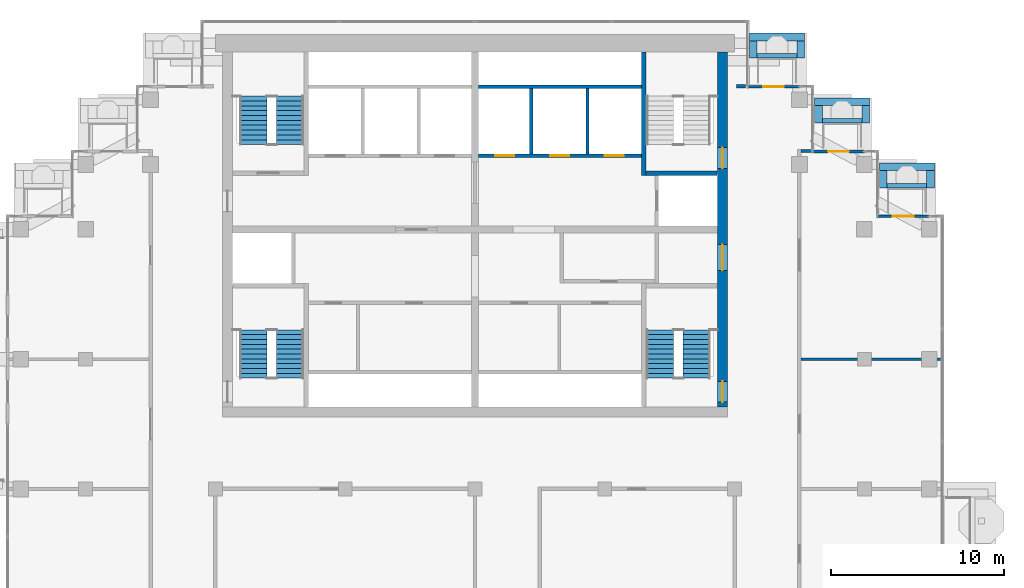
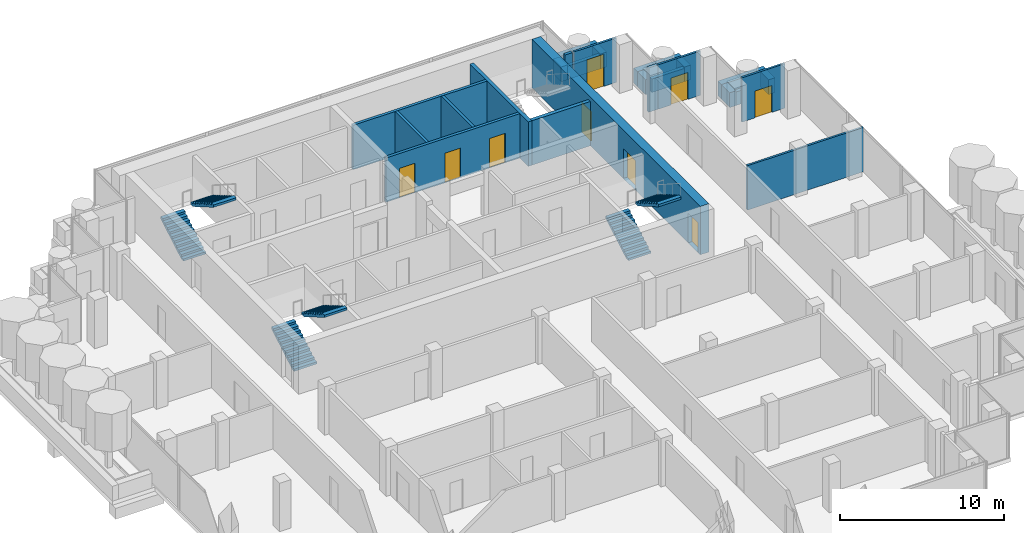
# One storey, part 14 of 18: 25 walls, 9 doors, 6 stair flights, 9 openings, 3 elements without a shape of their own.
"""IFC4 building model written with IfcOpenShell, lengths in metres."""

from ifc_helpers import new_model, si_unit, direction, frame, frame_2d, origin, place, context, subcontext, project, spatial, polyline, rectangle, outline, extrude, material, layer, layer_set, type_object, element, fill, aggregate, save


model = new_model("IFC4")

# Units and contexts
model_context = context("Model", 3, precision=1e-05, world=origin(), true_north=direction((0.0, 1.0)))
body_context = subcontext(model_context, "Body", "Model", "MODEL_VIEW")
ifc_project = project(units=[si_unit("LENGTHUNIT", "METRE"), si_unit("AREAUNIT", "SQUARE_METRE"), si_unit("VOLUMEUNIT", "CUBIC_METRE"), si_unit("PLANEANGLEUNIT", "RADIAN"), si_unit("MASSUNIT", "GRAM", prefix="KILO")], contexts=[model_context])

# Site, building, storey
site_placement = place(None, origin())
site = spatial("IfcSite", under=ifc_project, at=site_placement, CompositionType="ELEMENT")
building_placement = place(site_placement, origin())
building = spatial("IfcBuilding", under=site, at=building_placement, Name="Pilkhan Gate Tower", CompositionType="ELEMENT")
storey_placement = place(building_placement, frame((0.0, 0.0, 242.699951171875)))
storey = spatial("IfcBuildingStorey", under=building, at=storey_placement, Name="L63", CompositionType="ELEMENT", Elevation=242.699951171875)

# Walls
ifc_material_1 = material(Name="Concrete C40/50", Category="concrete")
ifc_layer_1 = layer(ifc_material_1, 0.25)
ifc_layer_set_1 = layer_set([ifc_layer_1], Name="Balcony planter BP250")
wall_type_1 = type_object("IfcWallType", Name="Balcony planter BP250", PredefinedType="USERDEFINED", material=ifc_layer_set_1)
wall_1_placement = place(storey_placement, frame((91.300048828125, 92.52490234375, 0.0), z_axis=(0.0, 0.0, 1.0), x_axis=(1.0, 0.0, 0.0)))
element("IfcWall", 1, at=wall_1_placement, inside=storey, type_object=wall_type_1, Name="Balcony planter L63 N", ObjectType="BALCONY PLANTER", PredefinedType="USERDEFINED", context=body_context, shape_type="SweptSolid", body=[
    extrude(rectangle(XDim=2.300048828125, YDim=0.25, at=frame_2d((1.14990234375, 0.0))), origin(), (0.0, 0.0, 1.0), 1.0),
])
for number, where, z_axis, x_axis, name in (
    (2, (95.070068359375, 88.77490234375, 0.0), (0.0, 0.0, 1.0), (1.0, 0.0, 0.0), "Balcony planter L63 N"),
    (3, (98.820068359375, 85.02490234375, 0.0), (0.0, 0.0, 1.0), (1.0, 0.0, 0.0), "Balcony planter L63 N"),
):
    element("IfcWall", number, at=place(storey_placement, frame(where, z_axis=z_axis, x_axis=x_axis)), inside=storey, type_object=wall_type_1, Name=name, ObjectType="BALCONY PLANTER", PredefinedType="USERDEFINED", context=body_context, shape_type="SweptSolid", body=[
        extrude(rectangle(XDim=2.280029296875, YDim=0.25, at=frame_2d((1.14013671875, 0.0))), origin(), (0.0, 0.0, 1.0), 1.0),
    ])
ifc_material_2 = material(Name="Board-marked Concrete C40/50", Category="concrete")
ifc_layer_2 = layer(ifc_material_2, 0.449951171875)
ifc_layer_set_2 = layer_set([ifc_layer_2], Name="Balcony planter lip BL450")
wall_type_2 = type_object("IfcWallType", Name="Balcony planter lip BL450", PredefinedType="USERDEFINED", material=ifc_layer_set_2)
wall_2_placement = place(storey_placement, frame((90.85009765625, 93.625, 0.0), z_axis=(0.0, 0.0, 1.0), x_axis=(1.0, 0.0, 0.0)))
element("IfcWall", 4, at=wall_2_placement, inside=storey, type_object=wall_type_2, Name="Balcony planter L63 N", ObjectType="BALCONY PLANTER", PredefinedType="USERDEFINED", context=body_context, shape_type="SweptSolid", body=[
    extrude(rectangle(XDim=3.199951171875, YDim=0.449951171875, at=frame_2d((1.60009765625, 0.0))), origin(), (0.0, 0.0, 1.0), 1.10009765625),
])
for number, where, z_axis, x_axis, name in (
    (5, (91.074951171875, 92.39990234375, 0.0), (0.0, 0.0, 1.0), (0.0, 1.0, 0.0), "Balcony planter L63 N"),
    (6, (93.824951171875, 92.39990234375, 0.0), (0.0, 0.0, 1.0), (0.0, 1.0, 0.0), "Balcony planter L63 N"),
):
    element("IfcWall", number, at=place(storey_placement, frame(where, z_axis=z_axis, x_axis=x_axis)), inside=storey, type_object=wall_type_2, Name=name, ObjectType="BALCONY PLANTER", PredefinedType="USERDEFINED", context=body_context, shape_type="SweptSolid", body=[
        extrude(rectangle(XDim=1.0, YDim=0.449951171875, at=frame_2d((0.5, 0.0))), origin(), (0.0, 0.0, 1.0), 1.10009765625),
    ])
wall_3_placement = place(storey_placement, frame((94.6201171875, 89.875, 0.0), z_axis=(0.0, 0.0, 1.0), x_axis=(1.0, 0.0, 0.0)))
element("IfcWall", 7, at=wall_3_placement, inside=storey, type_object=wall_type_2, Name="Balcony planter L63 N", ObjectType="BALCONY PLANTER", PredefinedType="USERDEFINED", context=body_context, shape_type="SweptSolid", body=[
    extrude(rectangle(XDim=3.179931640625, YDim=0.449951171875, at=frame_2d((1.58984375, 0.0))), origin(), (0.0, 0.0, 1.0), 1.10009765625),
])
for number, where, z_axis, x_axis, name in (
    (8, (94.844970703125, 88.64990234375, 0.0), (0.0, 0.0, 1.0), (0.0, 1.0, 0.0), "Balcony planter L63 N"),
    (9, (97.574951171875, 88.64990234375, 0.0), (0.0, 0.0, 1.0), (0.0, 1.0, 0.0), "Balcony planter L63 N"),
):
    element("IfcWall", number, at=place(storey_placement, frame(where, z_axis=z_axis, x_axis=x_axis)), inside=storey, type_object=wall_type_2, Name=name, ObjectType="BALCONY PLANTER", PredefinedType="USERDEFINED", context=body_context, shape_type="SweptSolid", body=[
        extrude(rectangle(XDim=1.0, YDim=0.449951171875, at=frame_2d((0.5, 0.0))), origin(), (0.0, 0.0, 1.0), 1.10009765625),
    ])
wall_4_placement = place(storey_placement, frame((98.3701171875, 86.125, 0.0), z_axis=(0.0, 0.0, 1.0), x_axis=(1.0, 0.0, 0.0)))
element("IfcWall", 10, at=wall_4_placement, inside=storey, type_object=wall_type_2, Name="Balcony planter L63 N", ObjectType="BALCONY PLANTER", PredefinedType="USERDEFINED", context=body_context, shape_type="SweptSolid", body=[
    extrude(rectangle(XDim=3.179931640625, YDim=0.449951171875, at=frame_2d((1.58984375, 0.0))), origin(), (0.0, 0.0, 1.0), 1.10009765625),
])
for number, where, z_axis, x_axis, name in (
    (11, (98.594970703125, 84.89990234375, 0.0), (0.0, 0.0, 1.0), (0.0, 1.0, 0.0), "Balcony planter L63 N"),
    (12, (101.324951171875, 84.89990234375, 0.0), (0.0, 0.0, 1.0), (0.0, 1.0, 0.0), "Balcony planter L63 N"),
):
    element("IfcWall", number, at=place(storey_placement, frame(where, z_axis=z_axis, x_axis=x_axis)), inside=storey, type_object=wall_type_2, Name=name, ObjectType="BALCONY PLANTER", PredefinedType="USERDEFINED", context=body_context, shape_type="SweptSolid", body=[
        extrude(rectangle(XDim=1.0, YDim=0.449951171875, at=frame_2d((0.5, 0.0))), origin(), (0.0, 0.0, 1.0), 1.10009765625),
    ])

# Wall, openings, doors
ifc_material_3 = material(Name="Concrete C50/60", Category="concrete")
ifc_layer_3 = layer(ifc_material_3, 0.60009765625)
ifc_layer_set_3 = layer_set([ifc_layer_3], Name="Core wall CW600 C50/60")
wall_type_3 = type_object("IfcWallType", Name="Core wall CW600 C50/60", PredefinedType="SHEAR", material=ifc_layer_set_3)
wall_5_placement = place(storey_placement, frame((89.300048828125, 72.25, 0.0), z_axis=(0.0, 0.0, 1.0), x_axis=(0.0, 1.0, 0.0)))
wall_5 = element("IfcWall", 13, at=wall_5_placement, inside=storey, type_object=wall_type_3, Name="Core wall E L63", PredefinedType="SHEAR", context=body_context, shape_type="SweptSolid", body=[
    extrude(rectangle(XDim=20.5, YDim=0.60009765625, at=frame_2d((10.25, 0.0))), origin(), (0.0, 0.0, 1.0), 3.60009765625),
])
opening_1_placement = place(wall_5_placement, frame((0.27490234375, 0.0, 0.0)))
opening_1 = element("IfcOpeningElement", 14, at=opening_1_placement, cuts=wall_5, Name="Opening L63-03", PredefinedType="OPENING", context=body_context, shape_type="SweptSolid", body=[
    extrude(rectangle(XDim=1.199951171875, YDim=2.199951171875, at=frame_2d((0.60009765625, 1.10009765625))), frame((0.0, 0.31005859375, 0.0), z_axis=(0.0, -1.0, 0.0), x_axis=(1.0, 0.0, 0.0)), (0.0, 0.0, 1.0), 0.6201171875),
])
opening_2_placement = place(wall_5_placement, frame((13.77490234375, 0.0, 0.0)))
opening_2 = element("IfcOpeningElement", 15, at=opening_2_placement, cuts=wall_5, Name="Opening L63-05", PredefinedType="OPENING", context=body_context, shape_type="SweptSolid", body=[
    extrude(rectangle(XDim=1.199951171875, YDim=2.199951171875, at=frame_2d((0.60009765625, 1.10009765625))), frame((0.0, 0.31005859375, 0.0), z_axis=(0.0, -1.0, 0.0), x_axis=(1.0, 0.0, 0.0)), (0.0, 0.0, 1.0), 0.6201171875),
])
opening_3_placement = place(wall_5_placement, frame((7.875, 0.0, 0.0)))
opening_3 = element("IfcOpeningElement", 16, at=opening_3_placement, cuts=wall_5, Name="Opening L63-06", PredefinedType="OPENING", context=body_context, shape_type="SweptSolid", body=[
    extrude(rectangle(XDim=1.5, YDim=2.199951171875, at=frame_2d((0.75, 1.10009765625))), frame((0.0, 0.31005859375, 0.0), z_axis=(0.0, -1.0, 0.0), x_axis=(1.0, 0.0, 0.0)), (0.0, 0.0, 1.0), 0.6201171875),
])
ifc_material_4 = material(Name="Steel framed glazed door, 60 minute fire resisting", Category="steel")
door_type_1 = type_object("IfcDoorType", Name="Lobby door D09 1500x2200", OperationType="DOUBLE_DOOR_SINGLE_SWING", PredefinedType="DOOR", material=ifc_material_4)
door_1_placement = place(opening_3_placement, origin())
door_1 = element("IfcDoor", 17, at=door_1_placement, inside=storey, type_object=door_type_1, Name="Core door", OperationType="DOUBLE_DOOR_SINGLE_SWING", OverallHeight=2.199951171875, OverallWidth=1.5, PredefinedType="DOOR", context=body_context, shape_type="SweptSolid", body=[
    extrude(rectangle(XDim=1.5, YDim=2.199951171875, at=frame_2d((0.75, 1.10009765625))), frame((0.0, 0.02490234375, 0.0), z_axis=(0.0, -1.0, 0.0), x_axis=(1.0, 0.0, 0.0)), (0.0, 0.0, 1.0), 0.050048828125),
])
fill(opening_3, door_1)
ifc_material_5 = material(Name="Steel door, 120 minute fire resisting, panic bar", Category="steel")
door_type_2 = type_object("IfcDoorType", Name="Stair door D11 1200x2200", OperationType="SINGLE_SWING_LEFT", PredefinedType="DOOR", material=ifc_material_5)
door_2_placement = place(opening_1_placement, origin())
door_2 = element("IfcDoor", 18, at=door_2_placement, inside=storey, type_object=door_type_2, Name="Stair ST1 door", OperationType="SINGLE_SWING_LEFT", OverallHeight=2.199951171875, OverallWidth=1.199951171875, PredefinedType="DOOR", context=body_context, shape_type="SweptSolid", body=[
    extrude(rectangle(XDim=1.199951171875, YDim=2.199951171875, at=frame_2d((0.60009765625, 1.10009765625))), frame((0.0, 0.02490234375, 0.0), z_axis=(0.0, -1.0, 0.0), x_axis=(1.0, 0.0, 0.0)), (0.0, 0.0, 1.0), 0.050048828125),
])
fill(opening_1, door_2)
door_3_placement = place(opening_2_placement, origin())
door_3 = element("IfcDoor", 19, at=door_3_placement, inside=storey, type_object=door_type_2, Name="Stair ST4 door", OperationType="SINGLE_SWING_LEFT", OverallHeight=2.199951171875, OverallWidth=1.199951171875, PredefinedType="DOOR", context=body_context, shape_type="SweptSolid", body=[
    extrude(rectangle(XDim=1.199951171875, YDim=2.199951171875, at=frame_2d((0.60009765625, 1.10009765625))), frame((0.0, 0.02490234375, 0.0), z_axis=(0.0, -1.0, 0.0), x_axis=(1.0, 0.0, 0.0)), (0.0, 0.0, 1.0), 0.050048828125),
])
fill(opening_2, door_3)

# Walls
ifc_material_6 = material(Name="Dense blockwork", Category="masonry")
ifc_layer_4 = layer(ifc_material_6, 0.199951171875)
ifc_layer_set_4 = layer_set([ifc_layer_4], Name="Corridor wall FW200")
wall_type_4 = type_object("IfcWallType", Name="Corridor wall FW200", PredefinedType="PARTITIONING", material=ifc_layer_set_4)
wall_6_placement = place(storey_placement, frame((93.85009765625, 87.030029296875, 0.0), z_axis=(0.0, 0.0, 1.0), x_axis=(1.0, 0.0, 0.0)))
element("IfcWall", 20, at=wall_6_placement, inside=storey, type_object=wall_type_4, Name="Partition L63", PredefinedType="PARTITIONING", context=body_context, shape_type="SweptSolid", body=[
    extrude(rectangle(XDim=0.639892578125, YDim=0.199951171875, at=frame_2d((0.31982421875, 0.0))), origin(), (0.0, 0.0, 1.0), 3.300048828125),
])
wall_7_placement = place(storey_placement, frame((90.1201171875, 90.764892578125, 0.0), z_axis=(0.0, 0.0, 1.0), x_axis=(1.0, 0.0, 0.0)))
element("IfcWall", 21, at=wall_7_placement, inside=storey, type_object=wall_type_4, Name="Partition L63", PredefinedType="PARTITIONING", context=body_context, shape_type="SweptSolid", body=[
    extrude(rectangle(XDim=0.52490234375, YDim=0.199951171875, at=frame_2d((0.262451171875, 0.0))), origin(), (0.0, 0.0, 1.0), 3.300048828125),
])

# Wall, opening, door
ifc_material_7 = material(Name="Pale anodised aluminium, clear laminated glazing", Category="aluminium")
ifc_layer_5 = layer(ifc_material_7, 0.14990234375)
ifc_layer_set_5 = layer_set([ifc_layer_5], Name="Facade infill wall IW150")
wall_type_5 = type_object("IfcWallType", Name="Facade infill wall IW150", PredefinedType="SOLIDWALL", material=ifc_layer_set_5)
wall_8_placement = place(storey_placement, frame((98.25, 83.25, 0.0), z_axis=(0.0, 0.0, 1.0), x_axis=(1.0, 0.0, 0.0)))
wall_8 = element("IfcWall", 22, at=wall_8_placement, inside=storey, type_object=wall_type_5, Name="Infill wall L63 N", PredefinedType="SOLIDWALL", context=body_context, shape_type="SweptSolid", body=[
    extrude(rectangle(XDim=3.0, YDim=0.14990234375, at=frame_2d((1.5, 0.0))), origin(), (0.0, 0.0, 1.0), 3.300048828125),
])
opening_4_placement = place(wall_8_placement, frame((0.89990234375, 0.0, 0.0)))
opening_4 = element("IfcOpeningElement", 23, at=opening_4_placement, cuts=wall_8, Name="Opening D1L", PredefinedType="OPENING", context=body_context, shape_type="SweptSolid", body=[
    extrude(rectangle(XDim=1.199951171875, YDim=2.0, at=frame_2d((0.60009765625, 1.0))), frame((0.0, 0.0849609375, 0.0), z_axis=(0.0, -1.0, 0.0), x_axis=(1.0, 0.0, 0.0)), (0.0, 0.0, 1.0), 0.169921875),
])
ifc_material_8 = material(Name="Pale anodised aluminium, clear glazing", Category="aluminium")
door_type_3 = type_object("IfcDoorType", Name="Balcony door D1L 1200x2000", OperationType="SINGLE_SWING_LEFT", PredefinedType="DOOR", material=ifc_material_8)
door_4_placement = place(opening_4_placement, origin())
door_4 = element("IfcDoor", 24, at=door_4_placement, inside=storey, type_object=door_type_3, Name="Balcony door L63", OperationType="SINGLE_SWING_LEFT", OverallHeight=2.0, OverallWidth=1.199951171875, PredefinedType="DOOR", context=body_context, shape_type="SweptSolid", body=[
    extrude(rectangle(XDim=1.199951171875, YDim=2.0, at=frame_2d((0.60009765625, 1.0))), frame((0.0, 0.02490234375, 0.0), z_axis=(0.0, -1.0, 0.0), x_axis=(1.0, 0.0, 0.0)), (0.0, 0.0, 1.0), 0.050048828125),
])
fill(opening_4, door_4)

wall_9_placement = place(storey_placement, frame((94.5, 87.0, 0.0), z_axis=(0.0, 0.0, 1.0), x_axis=(1.0, 0.0, 0.0)))
wall_9 = element("IfcWall", 25, at=wall_9_placement, inside=storey, type_object=wall_type_5, Name="Infill wall L63 N", PredefinedType="SOLIDWALL", context=body_context, shape_type="SweptSolid", body=[
    extrude(rectangle(XDim=3.0, YDim=0.14990234375, at=frame_2d((1.5, 0.0))), origin(), (0.0, 0.0, 1.0), 3.300048828125),
])
opening_5_placement = place(wall_9_placement, frame((0.89990234375, 0.0, 0.0)))
opening_5 = element("IfcOpeningElement", 26, at=opening_5_placement, cuts=wall_9, Name="Opening D1L", PredefinedType="OPENING", context=body_context, shape_type="SweptSolid", body=[
    extrude(rectangle(XDim=1.199951171875, YDim=2.0, at=frame_2d((0.60009765625, 1.0))), frame((0.0, 0.0849609375, 0.0), z_axis=(0.0, -1.0, 0.0), x_axis=(1.0, 0.0, 0.0)), (0.0, 0.0, 1.0), 0.169921875),
])
door_5_placement = place(opening_5_placement, origin())
door_5 = element("IfcDoor", 27, at=door_5_placement, inside=storey, type_object=door_type_3, Name="Balcony door L63", OperationType="SINGLE_SWING_LEFT", OverallHeight=2.0, OverallWidth=1.199951171875, PredefinedType="DOOR", context=body_context, shape_type="SweptSolid", body=[
    extrude(rectangle(XDim=1.199951171875, YDim=2.0, at=frame_2d((0.60009765625, 1.0))), frame((0.0, 0.02490234375, 0.0), z_axis=(0.0, -1.0, 0.0), x_axis=(1.0, 0.0, 0.0)), (0.0, 0.0, 1.0), 0.050048828125),
])
fill(opening_5, door_5)

wall_10_placement = place(storey_placement, frame((90.75, 90.75, 0.0), z_axis=(0.0, 0.0, 1.0), x_axis=(1.0, 0.0, 0.0)))
wall_10 = element("IfcWall", 28, at=wall_10_placement, inside=storey, type_object=wall_type_5, Name="Infill wall L63 N", PredefinedType="SOLIDWALL", context=body_context, shape_type="SweptSolid", body=[
    extrude(rectangle(XDim=3.0, YDim=0.14990234375, at=frame_2d((1.5, 0.0))), origin(), (0.0, 0.0, 1.0), 3.300048828125),
])
opening_6_placement = place(wall_10_placement, frame((0.89990234375, 0.0, 0.0)))
opening_6 = element("IfcOpeningElement", 29, at=opening_6_placement, cuts=wall_10, Name="Opening D1", PredefinedType="OPENING", context=body_context, shape_type="SweptSolid", body=[
    extrude(rectangle(XDim=1.199951171875, YDim=2.39990234375, at=frame_2d((0.60009765625, 1.199951171875))), frame((0.0, 0.0849609375, 0.0), z_axis=(0.0, -1.0, 0.0), x_axis=(1.0, 0.0, 0.0)), (0.0, 0.0, 1.0), 0.169921875),
])
door_type_4 = type_object("IfcDoorType", Name="Balcony door D1 1200x2400", OperationType="SINGLE_SWING_LEFT", PredefinedType="DOOR", material=ifc_material_8)
door_6_placement = place(opening_6_placement, origin())
door_6 = element("IfcDoor", 30, at=door_6_placement, inside=storey, type_object=door_type_4, Name="Balcony door L63", OperationType="SINGLE_SWING_LEFT", OverallHeight=2.39990234375, OverallWidth=1.199951171875, PredefinedType="DOOR", context=body_context, shape_type="SweptSolid", body=[
    extrude(rectangle(XDim=1.199951171875, YDim=2.39990234375, at=frame_2d((0.60009765625, 1.199951171875))), frame((0.0, 0.02490234375, 0.0), z_axis=(0.0, -1.0, 0.0), x_axis=(1.0, 0.0, 0.0)), (0.0, 0.0, 1.0), 0.050048828125),
])
fill(opening_6, door_6)

# Wall
ifc_material_9 = material(Name="Blockwork partition, plastered both sides", Category="masonry")
ifc_layer_6 = layer(ifc_material_9, 0.14990234375)
ifc_layer_set_6 = layer_set([ifc_layer_6], Name="Partition PW150")
wall_type_6 = type_object("IfcWallType", Name="Partition PW150", PredefinedType="PARTITIONING", material=ifc_layer_set_6)
wall_11_placement = place(storey_placement, frame((93.85009765625, 75.0, 0.0), z_axis=(0.0, 0.0, 1.0), x_axis=(1.0, 0.0, 0.0)))
element("IfcWall", 31, at=wall_11_placement, inside=storey, type_object=wall_type_6, Name="Partition L63", PredefinedType="PARTITIONING", context=body_context, shape_type="SweptSolid", body=[
    extrude(rectangle(XDim=8.164794921875, YDim=0.14990234375, at=frame_2d((4.08251953125, 0.0))), origin(), (0.0, 0.0, 1.0), 3.300048828125),
])

# Wall, openings, doors
ifc_material_10 = material(Name="Reinforced blockwork shaft wall, 120 minute fire resisting", Category="masonry")
ifc_layer_7 = layer(ifc_material_10, 0.199951171875)
ifc_layer_set_7 = layer_set([ifc_layer_7], Name="Shaft wall SW200")
wall_type_7 = type_object("IfcWallType", Name="Shaft wall SW200", PredefinedType="PARTITIONING", material=ifc_layer_set_7)
wall_12_placement = place(storey_placement, frame((75.2099609375, 86.75, 0.0), z_axis=(0.0, 0.0, 1.0), x_axis=(1.0, 0.0, 0.0)))
wall_12 = element("IfcWall", 32, at=wall_12_placement, inside=storey, type_object=wall_type_7, Name="Partition L63", PredefinedType="PARTITIONING", context=body_context, shape_type="SweptSolid", body=[
    extrude(rectangle(XDim=9.4150390625, YDim=0.199951171875, at=frame_2d((4.70751953125, 0.0))), origin(), (0.0, 0.0, 1.0), 3.300048828125),
])
opening_7_placement = place(wall_12_placement, frame((0.949951171875, 0.0, 0.0)))
opening_7 = element("IfcOpeningElement", 33, at=opening_7_placement, cuts=wall_12, Name="Opening LD", PredefinedType="OPENING", context=body_context, shape_type="SweptSolid", body=[
    extrude(rectangle(XDim=1.10009765625, YDim=2.199951171875, at=frame_2d((0.550048828125, 1.10009765625))), frame((0.0, 0.10986328125, 0.0), z_axis=(0.0, -1.0, 0.0), x_axis=(1.0, 0.0, 0.0)), (0.0, 0.0, 1.0), 0.219970703125),
])
opening_8_placement = place(wall_12_placement, frame((4.139892578125, 0.0, 0.0)))
opening_8 = element("IfcOpeningElement", 34, at=opening_8_placement, cuts=wall_12, Name="Opening LD", PredefinedType="OPENING", context=body_context, shape_type="SweptSolid", body=[
    extrude(rectangle(XDim=1.10009765625, YDim=2.199951171875, at=frame_2d((0.550048828125, 1.10009765625))), frame((0.0, 0.10986328125, 0.0), z_axis=(0.0, -1.0, 0.0), x_axis=(1.0, 0.0, 0.0)), (0.0, 0.0, 1.0), 0.219970703125),
])
opening_9_placement = place(wall_12_placement, frame((7.2900390625, 0.0, 0.0)))
opening_9 = element("IfcOpeningElement", 35, at=opening_9_placement, cuts=wall_12, Name="Opening LD", PredefinedType="OPENING", context=body_context, shape_type="SweptSolid", body=[
    extrude(rectangle(XDim=1.10009765625, YDim=2.199951171875, at=frame_2d((0.550048828125, 1.10009765625))), frame((0.0, 0.10986328125, 0.0), z_axis=(0.0, -1.0, 0.0), x_axis=(1.0, 0.0, 0.0)), (0.0, 0.0, 1.0), 0.219970703125),
])
ifc_material_11 = material(Name="Stainless steel centre-opening landing door, 120 minute fire resisting", Category="steel")
door_type_5 = type_object("IfcDoorType", Name="Lift landing door LD 1100x2200", OperationType="DOUBLE_DOOR_SLIDING", PredefinedType="DOOR", material=ifc_material_11)
door_7_placement = place(opening_7_placement, origin())
door_7 = element("IfcDoor", 36, at=door_7_placement, inside=storey, type_object=door_type_5, Name="Landing door HR1", OperationType="DOUBLE_DOOR_SLIDING", OverallHeight=2.199951171875, OverallWidth=1.10009765625, PredefinedType="DOOR", context=body_context, shape_type="SweptSolid", body=[
    extrude(rectangle(XDim=1.10009765625, YDim=2.199951171875, at=frame_2d((0.550048828125, 1.10009765625))), frame((0.0, 0.02490234375, 0.0), z_axis=(0.0, -1.0, 0.0), x_axis=(1.0, 0.0, 0.0)), (0.0, 0.0, 1.0), 0.050048828125),
])
fill(opening_7, door_7)
door_8_placement = place(opening_8_placement, origin())
door_8 = element("IfcDoor", 37, at=door_8_placement, inside=storey, type_object=door_type_5, Name="Landing door HR2", OperationType="DOUBLE_DOOR_SLIDING", OverallHeight=2.199951171875, OverallWidth=1.10009765625, PredefinedType="DOOR", context=body_context, shape_type="SweptSolid", body=[
    extrude(rectangle(XDim=1.10009765625, YDim=2.199951171875, at=frame_2d((0.550048828125, 1.10009765625))), frame((0.0, 0.02490234375, 0.0), z_axis=(0.0, -1.0, 0.0), x_axis=(1.0, 0.0, 0.0)), (0.0, 0.0, 1.0), 0.050048828125),
])
fill(opening_8, door_8)
door_9_placement = place(opening_9_placement, origin())
door_9 = element("IfcDoor", 38, at=door_9_placement, inside=storey, type_object=door_type_5, Name="Landing door HR3", OperationType="DOUBLE_DOOR_SLIDING", OverallHeight=2.199951171875, OverallWidth=1.10009765625, PredefinedType="DOOR", context=body_context, shape_type="SweptSolid", body=[
    extrude(rectangle(XDim=1.10009765625, YDim=2.199951171875, at=frame_2d((0.550048828125, 1.10009765625))), frame((0.0, 0.02490234375, 0.0), z_axis=(0.0, -1.0, 0.0), x_axis=(1.0, 0.0, 0.0)), (0.0, 0.0, 1.0), 0.050048828125),
])
fill(opening_9, door_9)

# Walls
wall_13_placement = place(storey_placement, frame((75.2099609375, 90.75, 0.0), z_axis=(0.0, 0.0, 1.0), x_axis=(1.0, 0.0, 0.0)))
element("IfcWall", 39, at=wall_13_placement, inside=storey, type_object=wall_type_7, Name="Partition L63", PredefinedType="PARTITIONING", context=body_context, shape_type="SweptSolid", body=[
    extrude(rectangle(XDim=9.4150390625, YDim=0.199951171875, at=frame_2d((4.70751953125, 0.0))), origin(), (0.0, 0.0, 1.0), 3.300048828125),
])
for number, where, z_axis, x_axis, name in (
    (40, (78.25, 86.85009765625, 0.0), (0.0, 0.0, 1.0), (0.0, 1.0, 0.0), "Partition L63"),
    (41, (81.5, 86.85009765625, 0.0), (0.0, 0.0, 1.0), (0.0, 1.0, 0.0), "Partition L63"),
):
    element("IfcWall", number, at=place(storey_placement, frame(where, z_axis=z_axis, x_axis=x_axis)), inside=storey, type_object=wall_type_7, Name=name, PredefinedType="PARTITIONING", context=body_context, shape_type="SweptSolid", body=[
        extrude(rectangle(XDim=3.7998046875, YDim=0.199951171875, at=frame_2d((1.89990234375, 0.0))), origin(), (0.0, 0.0, 1.0), 3.300048828125),
    ])
ifc_material_12 = material(Name="Reinforced blockwork, 120 minute fire resisting", Category="masonry")
ifc_layer_8 = layer(ifc_material_12, 0.25)
ifc_layer_set_8 = layer_set([ifc_layer_8], Name="Stair enclosure wall SE250")
wall_type_8 = type_object("IfcWallType", Name="Stair enclosure wall SE250", PredefinedType="PARTITIONING", material=ifc_layer_set_8)
wall_14_placement = place(storey_placement, frame((84.875, 85.75, 0.0), z_axis=(0.0, 0.0, 1.0), x_axis=(1.0, 0.0, 0.0)))
element("IfcWall", 42, at=wall_14_placement, inside=storey, type_object=wall_type_8, Name="Partition L63", PredefinedType="PARTITIONING", context=body_context, shape_type="SweptSolid", body=[
    extrude(rectangle(XDim=4.114990234375, YDim=0.25, at=frame_2d((2.0576171875, 0.0))), origin(), (0.0, 0.0, 1.0), 3.300048828125),
])
wall_15_placement = place(storey_placement, frame((84.75, 85.625, 0.0), z_axis=(0.0, 0.0, 1.0), x_axis=(0.0, 1.0, 0.0)))
element("IfcWall", 43, at=wall_15_placement, inside=storey, type_object=wall_type_8, Name="Partition L63", PredefinedType="PARTITIONING", context=body_context, shape_type="SweptSolid", body=[
    extrude(rectangle(XDim=7.114990234375, YDim=0.25, at=frame_2d((3.5576171875, 0.0))), origin(), (0.0, 0.0, 1.0), 3.300048828125),
])

# Stair, stair flights
ifc_material_13 = material(Name="Concrete C40/50 precast", Category="concrete")
stair_type_1 = type_object("IfcStairType", Name="Stair ST1 164x280", PredefinedType="HALF_TURN_STAIR", material=ifc_material_13)
stair_1_placement = place(storey_placement, origin())
stair_1 = element("IfcStair", 44, at=stair_1_placement, inside=storey, type_object=stair_type_1, Name="Stair ST1 L63", PredefinedType="HALF_TURN_STAIR")
stair_flight_type_1 = type_object("IfcStairFlightType", Name="Stair flight ST1 164x280x11", PredefinedType="STRAIGHT", material=ifc_material_13)
stair_flight_1_placement = place(storey_placement, frame((85.68994140625, 73.89990234375, 0.0), z_axis=(0.0, 0.0, 1.0), x_axis=(0.0, 1.0, 0.0)))
stair_flight_1 = element("IfcStairFlight", 45, at=stair_flight_1_placement, type_object=stair_flight_type_1, Name="ST1 flight 1", NumberOfRisers=11, NumberOfTreads=10, PredefinedType="STRAIGHT", RiserHeight=0.163636364, TreadLength=0.28, context=body_context, shape_type="SweptSolid", body=[
    extrude(outline(polyline([(0.0, 0.0), (0.0, 0.16357421875), (0.280029296875, 0.16357421875), (0.280029296875, 0.327392578125), (0.56005859375, 0.327392578125), (0.56005859375, 0.490966796875), (0.840087890625, 0.490966796875), (0.840087890625, 0.654541015625), (1.1201171875, 0.654541015625), (1.1201171875, 0.818115234375), (1.39990234375, 0.818115234375), (1.39990234375, 0.98193359375), (1.679931640625, 0.98193359375), (1.679931640625, 1.1455078125), (1.9599609375, 1.1455078125), (1.9599609375, 1.30908203125), (2.239990234375, 1.30908203125), (2.239990234375, 1.47265625), (2.52001953125, 1.47265625), (2.52001953125, 1.636474609375), (2.800048828125, 1.636474609375), (2.800048828125, 1.800048828125), (2.800048828125, 1.462646484375), (0.297119140625, 0.0), (0.0, 0.0)])), frame((0.0, 0.7900390625, 0.0), z_axis=(0.0, -1.0, 0.0), x_axis=(1.0, 0.0, 0.0)), (0.0, 0.0, 1.0), 1.580078125),
])
stair_flight_2_placement = place(storey_placement, frame((87.81005859375, 76.699951171875, 1.800048828125), z_axis=(0.0, 0.0, 1.0), x_axis=(0.0, -1.0, 0.0)))
stair_flight_2 = element("IfcStairFlight", 46, at=stair_flight_2_placement, type_object=stair_flight_type_1, Name="ST1 flight 2", NumberOfRisers=11, NumberOfTreads=10, PredefinedType="STRAIGHT", RiserHeight=0.163636364, TreadLength=0.28, context=body_context, shape_type="SweptSolid", body=[
    extrude(outline(polyline([(0.0, 0.0), (0.0, 0.16357421875), (0.280029296875, 0.16357421875), (0.280029296875, 0.327392578125), (0.56005859375, 0.327392578125), (0.56005859375, 0.490966796875), (0.840087890625, 0.490966796875), (0.840087890625, 0.654541015625), (1.1201171875, 0.654541015625), (1.1201171875, 0.818115234375), (1.39990234375, 0.818115234375), (1.39990234375, 0.98193359375), (1.679931640625, 0.98193359375), (1.679931640625, 1.1455078125), (1.9599609375, 1.1455078125), (1.9599609375, 1.30908203125), (2.239990234375, 1.30908203125), (2.239990234375, 1.47265625), (2.52001953125, 1.47265625), (2.52001953125, 1.636474609375), (2.800048828125, 1.636474609375), (2.800048828125, 1.800048828125), (2.800048828125, 1.462646484375), (0.297119140625, 0.0), (0.0, 0.0)])), frame((0.0, 0.7900390625, 0.0), z_axis=(0.0, -1.0, 0.0), x_axis=(1.0, 0.0, 0.0)), (0.0, 0.0, 1.0), 1.580078125),
])
aggregate(stair_1, [stair_flight_1, stair_flight_2])

stair_type_2 = type_object("IfcStairType", Name="Stair ST2 164x280", PredefinedType="HALF_TURN_STAIR", material=ifc_material_13)
stair_2_placement = place(storey_placement, origin())
stair_2 = element("IfcStair", 47, at=stair_2_placement, inside=storey, type_object=stair_type_2, Name="Stair ST2 L63", PredefinedType="HALF_TURN_STAIR")
stair_flight_type_2 = type_object("IfcStairFlightType", Name="Stair flight ST2 164x280x11", PredefinedType="STRAIGHT", material=ifc_material_13)
stair_flight_3_placement = place(storey_placement, frame((62.18994140625, 73.89990234375, 0.0), z_axis=(0.0, 0.0, 1.0), x_axis=(0.0, 1.0, 0.0)))
stair_flight_3 = element("IfcStairFlight", 48, at=stair_flight_3_placement, type_object=stair_flight_type_2, Name="ST2 flight 1", NumberOfRisers=11, NumberOfTreads=10, PredefinedType="STRAIGHT", RiserHeight=0.163636364, TreadLength=0.28, context=body_context, shape_type="SweptSolid", body=[
    extrude(outline(polyline([(0.0, 0.0), (0.0, 0.16357421875), (0.280029296875, 0.16357421875), (0.280029296875, 0.327392578125), (0.56005859375, 0.327392578125), (0.56005859375, 0.490966796875), (0.840087890625, 0.490966796875), (0.840087890625, 0.654541015625), (1.1201171875, 0.654541015625), (1.1201171875, 0.818115234375), (1.39990234375, 0.818115234375), (1.39990234375, 0.98193359375), (1.679931640625, 0.98193359375), (1.679931640625, 1.1455078125), (1.9599609375, 1.1455078125), (1.9599609375, 1.30908203125), (2.239990234375, 1.30908203125), (2.239990234375, 1.47265625), (2.52001953125, 1.47265625), (2.52001953125, 1.636474609375), (2.800048828125, 1.636474609375), (2.800048828125, 1.800048828125), (2.800048828125, 1.462646484375), (0.297119140625, 0.0), (0.0, 0.0)])), frame((0.0, 0.7900390625, 0.0), z_axis=(0.0, -1.0, 0.0), x_axis=(1.0, 0.0, 0.0)), (0.0, 0.0, 1.0), 1.580078125),
])
stair_flight_4_placement = place(storey_placement, frame((64.31005859375, 76.699951171875, 1.800048828125), z_axis=(0.0, 0.0, 1.0), x_axis=(0.0, -1.0, 0.0)))
stair_flight_4 = element("IfcStairFlight", 49, at=stair_flight_4_placement, type_object=stair_flight_type_2, Name="ST2 flight 2", NumberOfRisers=11, NumberOfTreads=10, PredefinedType="STRAIGHT", RiserHeight=0.163636364, TreadLength=0.28, context=body_context, shape_type="SweptSolid", body=[
    extrude(outline(polyline([(0.0, 0.0), (0.0, 0.16357421875), (0.280029296875, 0.16357421875), (0.280029296875, 0.327392578125), (0.56005859375, 0.327392578125), (0.56005859375, 0.490966796875), (0.840087890625, 0.490966796875), (0.840087890625, 0.654541015625), (1.1201171875, 0.654541015625), (1.1201171875, 0.818115234375), (1.39990234375, 0.818115234375), (1.39990234375, 0.98193359375), (1.679931640625, 0.98193359375), (1.679931640625, 1.1455078125), (1.9599609375, 1.1455078125), (1.9599609375, 1.30908203125), (2.239990234375, 1.30908203125), (2.239990234375, 1.47265625), (2.52001953125, 1.47265625), (2.52001953125, 1.636474609375), (2.800048828125, 1.636474609375), (2.800048828125, 1.800048828125), (2.800048828125, 1.462646484375), (0.297119140625, 0.0), (0.0, 0.0)])), frame((0.0, 0.7900390625, 0.0), z_axis=(0.0, -1.0, 0.0), x_axis=(1.0, 0.0, 0.0)), (0.0, 0.0, 1.0), 1.580078125),
])
aggregate(stair_2, [stair_flight_3, stair_flight_4])

stair_type_3 = type_object("IfcStairType", Name="Stair ST3 164x280", PredefinedType="HALF_TURN_STAIR", material=ifc_material_13)
stair_3_placement = place(storey_placement, origin())
stair_3 = element("IfcStair", 50, at=stair_3_placement, inside=storey, type_object=stair_type_3, Name="Stair ST3 L63", PredefinedType="HALF_TURN_STAIR")
stair_flight_type_3 = type_object("IfcStairFlightType", Name="Stair flight ST3 164x280x11", PredefinedType="STRAIGHT", material=ifc_material_13)
stair_flight_5_placement = place(storey_placement, frame((62.18994140625, 87.39990234375, 0.0), z_axis=(0.0, 0.0, 1.0), x_axis=(0.0, 1.0, 0.0)))
stair_flight_5 = element("IfcStairFlight", 51, at=stair_flight_5_placement, type_object=stair_flight_type_3, Name="ST3 flight 1", NumberOfRisers=11, NumberOfTreads=10, PredefinedType="STRAIGHT", RiserHeight=0.163636364, TreadLength=0.28, context=body_context, shape_type="SweptSolid", body=[
    extrude(outline(polyline([(0.0, 0.0), (0.0, 0.16357421875), (0.280029296875, 0.16357421875), (0.280029296875, 0.327392578125), (0.56005859375, 0.327392578125), (0.56005859375, 0.490966796875), (0.840087890625, 0.490966796875), (0.840087890625, 0.654541015625), (1.1201171875, 0.654541015625), (1.1201171875, 0.818115234375), (1.39990234375, 0.818115234375), (1.39990234375, 0.98193359375), (1.679931640625, 0.98193359375), (1.679931640625, 1.1455078125), (1.9599609375, 1.1455078125), (1.9599609375, 1.30908203125), (2.239990234375, 1.30908203125), (2.239990234375, 1.47265625), (2.52001953125, 1.47265625), (2.52001953125, 1.636474609375), (2.800048828125, 1.636474609375), (2.800048828125, 1.800048828125), (2.800048828125, 1.462646484375), (0.297119140625, 0.0), (0.0, 0.0)])), frame((0.0, 0.7900390625, 0.0), z_axis=(0.0, -1.0, 0.0), x_axis=(1.0, 0.0, 0.0)), (0.0, 0.0, 1.0), 1.580078125),
])
stair_flight_6_placement = place(storey_placement, frame((64.31005859375, 90.199951171875, 1.800048828125), z_axis=(0.0, 0.0, 1.0), x_axis=(0.0, -1.0, 0.0)))
stair_flight_6 = element("IfcStairFlight", 52, at=stair_flight_6_placement, type_object=stair_flight_type_3, Name="ST3 flight 2", NumberOfRisers=11, NumberOfTreads=10, PredefinedType="STRAIGHT", RiserHeight=0.163636364, TreadLength=0.28, context=body_context, shape_type="SweptSolid", body=[
    extrude(outline(polyline([(0.0, 0.0), (0.0, 0.16357421875), (0.280029296875, 0.16357421875), (0.280029296875, 0.327392578125), (0.56005859375, 0.327392578125), (0.56005859375, 0.490966796875), (0.840087890625, 0.490966796875), (0.840087890625, 0.654541015625), (1.1201171875, 0.654541015625), (1.1201171875, 0.818115234375), (1.39990234375, 0.818115234375), (1.39990234375, 0.98193359375), (1.679931640625, 0.98193359375), (1.679931640625, 1.1455078125), (1.9599609375, 1.1455078125), (1.9599609375, 1.30908203125), (2.239990234375, 1.30908203125), (2.239990234375, 1.47265625), (2.52001953125, 1.47265625), (2.52001953125, 1.636474609375), (2.800048828125, 1.636474609375), (2.800048828125, 1.800048828125), (2.800048828125, 1.462646484375), (0.297119140625, 0.0), (0.0, 0.0)])), frame((0.0, 0.7900390625, 0.0), z_axis=(0.0, -1.0, 0.0), x_axis=(1.0, 0.0, 0.0)), (0.0, 0.0, 1.0), 1.580078125),
])
aggregate(stair_3, [stair_flight_5, stair_flight_6])

save(model, "model.ifc")
